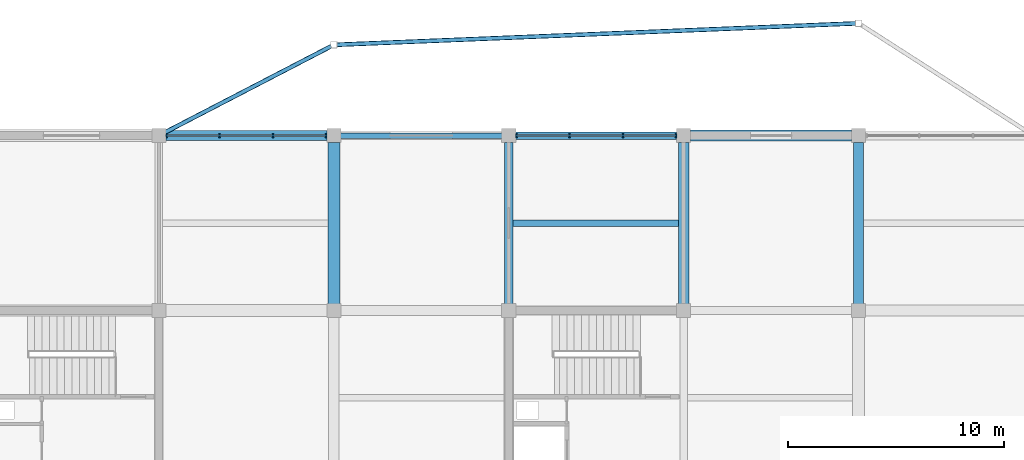
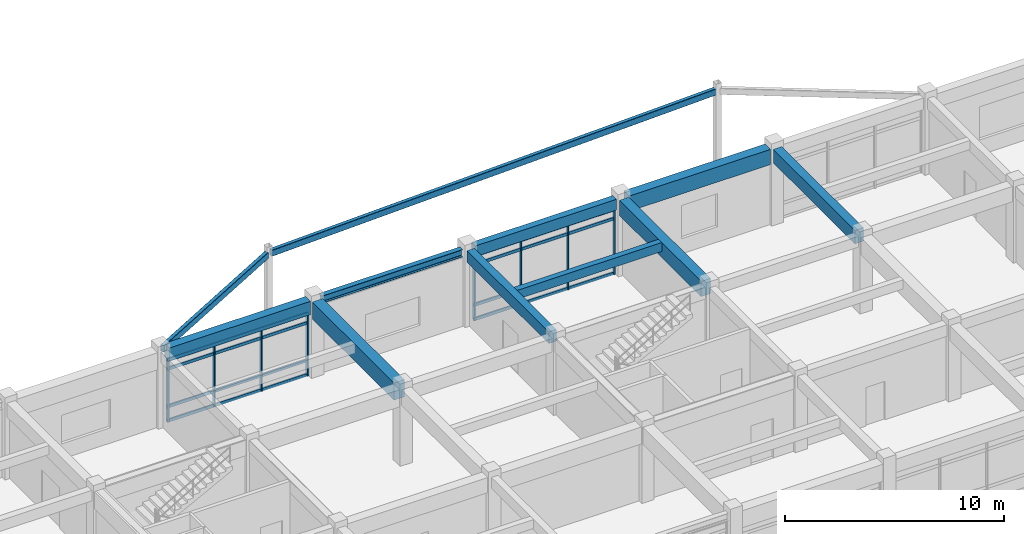
# One storey, part 45 of 93: 16 members, 11 beams, 2 elements without a shape of their own.
"""IFC4 building model written with IfcOpenShell, lengths in metres."""

from ifc_helpers import new_model, si_unit, direction, frame, origin, origin_2d, place, context, subcontext, project, spatial, rectangle, hollow_rectangle, i_section, extrude, material, layer, layer_set, material_profile, profile_set, type_object, element, aggregate, save


model = new_model("IFC4")

# Units and contexts
model_context = context("Model", 3, precision=1e-05, world=origin(), true_north=direction((0.0, 1.0)))
body_context = subcontext(model_context, "Body", "Model", "MODEL_VIEW")
ifc_project = project(units=[si_unit("LENGTHUNIT", "METRE"), si_unit("AREAUNIT", "SQUARE_METRE"), si_unit("VOLUMEUNIT", "CUBIC_METRE"), si_unit("PLANEANGLEUNIT", "RADIAN"), si_unit("MASSUNIT", "GRAM", prefix="KILO")], contexts=[model_context])

# Site, building, storey
site_placement = place(None, origin())
site = spatial("IfcSite", under=ifc_project, at=site_placement, CompositionType="ELEMENT")
building_placement = place(site_placement, origin())
building = spatial("IfcBuilding", under=site, at=building_placement, Name="Vaudrelin Polytechnic", CompositionType="ELEMENT")
storey_placement = place(building_placement, frame((0.0, 0.0, 5.10009765625)))
storey = spatial("IfcBuildingStorey", under=building, at=storey_placement, Name="L01", CompositionType="ELEMENT", Elevation=5.10009765625)

# Beams
ifc_material_1 = material(Name="Concrete 40 MPa", Category="concrete")
ifc_material_profile_1 = material_profile(ifc_material_1, rectangle(XDim=0.35009765625, YDim=0.60009765625, at=origin_2d()), Name="RC350x600")
ifc_profile_set_1 = profile_set([ifc_material_profile_1], Name="Concrete 40 MPa")
beam_type_1 = type_object("IfcBeamType", Name="BM-BM-RC3560", PredefinedType="BEAM", material=ifc_profile_set_1)
beam_1_placement = place(storey_placement, frame((81.321044921875, 121.5, 3.949951171875), z_axis=(1.0, 0.0, 0.0), x_axis=(0.0, 1.0, 0.0)))
element("IfcBeam", 1, at=beam_1_placement, inside=storey, type_object=beam_type_1, Name="L01 X-beam 11-16", PredefinedType="BEAM", context=body_context, shape_type="SweptSolid", body=[
    extrude(rectangle(XDim=0.35009765625, YDim=0.60009765625, at=origin_2d()), origin(), (0.0, 0.0, 1.0), 7.4580078125),
])
ifc_material_profile_2 = material_profile(ifc_material_1, rectangle(XDim=0.39990234375, YDim=0.64990234375, at=origin_2d()), Name="RC400x650")
ifc_profile_set_2 = profile_set([ifc_material_profile_2], Name="Concrete 40 MPa")
beam_type_2 = type_object("IfcBeamType", Name="BM-BM-RC4065", PredefinedType="BEAM", material=ifc_profile_set_2)
beam_2_placement = place(storey_placement, frame((81.0, 113.7099609375, 3.9248046875), z_axis=(0.0, 1.0, 0.0), x_axis=(-1.0, 0.0, 0.0)))
element("IfcBeam", 2, at=beam_2_placement, inside=storey, type_object=beam_type_2, Name="L01 Y-beam 11-15", PredefinedType="BEAM", context=body_context, shape_type="SweptSolid", body=[
    extrude(rectangle(XDim=0.39990234375, YDim=0.64990234375, at=origin_2d()), origin(), (0.0, 0.0, 1.0), 7.47998046875),
])
ifc_material_profile_3 = material_profile(ifc_material_1, rectangle(XDim=0.449951171875, YDim=0.75, at=origin_2d()), Name="RC450x750")
ifc_profile_set_3 = profile_set([ifc_material_profile_3], Name="Concrete 40 MPa")
beam_type_3 = type_object("IfcBeamType", Name="BM-BM-RC4575", PredefinedType="BEAM", material=ifc_profile_set_3)
beam_3_placement = place(storey_placement, frame((97.199951171875, 113.7099609375, 3.875), z_axis=(0.0, 1.0, 0.0), x_axis=(-1.0, 0.0, 0.0)))
element("IfcBeam", 3, at=beam_3_placement, inside=storey, type_object=beam_type_3, Name="L01 Y-beam 13-15", PredefinedType="BEAM", context=body_context, shape_type="SweptSolid", body=[
    extrude(rectangle(XDim=0.449951171875, YDim=0.75, at=origin_2d()), origin(), (0.0, 0.0, 1.0), 7.47998046875),
])
beam_4_placement = place(storey_placement, frame((65.12109375, 121.5, 3.875), z_axis=(1.0, 0.0, 0.0), x_axis=(0.0, 1.0, 0.0)))
element("IfcBeam", 4, at=beam_4_placement, inside=storey, type_object=beam_type_3, Name="L01 X-beam 9-16", PredefinedType="BEAM", context=body_context, shape_type="SweptSolid", body=[
    extrude(rectangle(XDim=0.449951171875, YDim=0.75, at=origin_2d()), origin(), (0.0, 0.0, 1.0), 7.4580078125),
])
ifc_material_profile_4 = material_profile(ifc_material_1, rectangle(XDim=0.5, YDim=0.85009765625, at=origin_2d()), Name="RC500x850")
ifc_profile_set_4 = profile_set([ifc_material_profile_4], Name="Concrete 40 MPa")
beam_type_4 = type_object("IfcBeamType", Name="BM-BM-RC5085", PredefinedType="BEAM", material=ifc_profile_set_4)
beam_5_placement = place(storey_placement, frame((89.10009765625, 113.7099609375, 3.824951171875), z_axis=(0.0, 1.0, 0.0), x_axis=(-1.0, 0.0, 0.0)))
element("IfcBeam", 5, at=beam_5_placement, inside=storey, type_object=beam_type_4, Name="L01 Y-beam 12-15", PredefinedType="BEAM", context=body_context, shape_type="SweptSolid", body=[
    extrude(rectangle(XDim=0.5, YDim=0.85009765625, at=origin_2d()), origin(), (0.0, 0.0, 1.0), 7.47998046875),
])
beam_6_placement = place(storey_placement, frame((89.4208984375, 121.5, 3.824951171875), z_axis=(1.0, 0.0, 0.0), x_axis=(0.0, 1.0, 0.0)))
element("IfcBeam", 6, at=beam_6_placement, inside=storey, type_object=beam_type_4, Name="L01 X-beam 12-16", PredefinedType="BEAM", context=body_context, shape_type="SweptSolid", body=[
    extrude(rectangle(XDim=0.5, YDim=0.85009765625, at=origin_2d()), origin(), (0.0, 0.0, 1.0), 7.4580078125),
])
ifc_material_2 = material(Name="Concrete 50 MPa", Category="concrete")
ifc_material_profile_5 = material_profile(ifc_material_2, rectangle(XDim=0.550048828125, YDim=0.949951171875, at=origin_2d()), Name="RC550x950")
ifc_profile_set_5 = profile_set([ifc_material_profile_5], Name="Concrete 50 MPa")
beam_type_5 = type_object("IfcBeamType", Name="BM-BM-RC5595", PredefinedType="BEAM", material=ifc_profile_set_5)
beam_7_placement = place(storey_placement, frame((72.89990234375, 113.7099609375, 3.77490234375), z_axis=(0.0, 1.0, 0.0), x_axis=(-1.0, 0.0, 0.0)))
element("IfcBeam", 7, at=beam_7_placement, inside=storey, type_object=beam_type_5, Name="L01 Y-beam 10-15", PredefinedType="BEAM", context=body_context, shape_type="SweptSolid", body=[
    extrude(rectangle(XDim=0.550048828125, YDim=0.949951171875, at=origin_2d()), origin(), (0.0, 0.0, 1.0), 7.47998046875),
])
ifc_material_3 = material(Name="Steel CSA G40.21 350WT", Category="steel")
ifc_material_profile_6 = material_profile(ifc_material_3, i_section(OverallWidth=0.260009765625, OverallDepth=0.4150390625, WebThickness=0.010009765625, FlangeThickness=0.016845703125, FilletRadius=0.01611328125, at=origin_2d()), Name="W410x100")
ifc_profile_set_6 = profile_set([ifc_material_profile_6], Name="Steel CSA G40.21 350WT")
beam_type_6 = type_object("IfcBeamType", Name="BM-BM-W410H", PredefinedType="SPANDREL", material=ifc_profile_set_6)
beam_8_placement = place(storey_placement, frame((73.220947265625, 121.5, 4.04248046875), z_axis=(1.0, 0.0, 0.0), x_axis=(0.0, 1.0, 0.0)))
element("IfcBeam", 8, at=beam_8_placement, inside=storey, type_object=beam_type_6, Name="L01 X-beam 10-16", PredefinedType="SPANDREL", context=body_context, shape_type="SweptSolid", body=[
    extrude(i_section(OverallWidth=0.260009765625, OverallDepth=0.4150390625, WebThickness=0.010009765625, FlangeThickness=0.016845703125, FilletRadius=0.01611328125, at=origin_2d()), origin(), (0.0, 0.0, 1.0), 7.4580078125),
])
ifc_material_profile_7 = material_profile(ifc_material_1, rectangle(XDim=0.300048828125, YDim=0.5, at=origin_2d()), Name="RC300x500")
ifc_profile_set_7 = profile_set([ifc_material_profile_7], Name="Concrete 40 MPa")
beam_type_7 = type_object("IfcBeamType", Name="BM-JS-RC3050", PredefinedType="JOIST", material=ifc_profile_set_7)
beam_9_placement = place(storey_placement, frame((81.196044921875, 117.449951171875, 4.0), z_axis=(1.0, 0.0, 0.0), x_axis=(0.0, 1.0, 0.0)))
element("IfcBeam", 9, at=beam_9_placement, inside=storey, type_object=beam_type_7, Name="L01 floor joist 11-15", PredefinedType="JOIST", context=body_context, shape_type="SweptSolid", body=[
    extrude(rectangle(XDim=0.300048828125, YDim=0.5, at=origin_2d()), origin(), (0.0, 0.0, 1.0), 7.657958984375),
])
ifc_material_profile_8 = material_profile(ifc_material_3, hollow_rectangle(XDim=0.202880859375, YDim=0.35595703125, WallThickness=0.0126953125, InnerFilletRadius=0.0126953125, OuterFilletRadius=0.025390625, at=origin_2d()), Name="HSS356x203x12.7")
ifc_profile_set_8 = profile_set([ifc_material_profile_8], Name="Steel CSA G40.21 350WT")
beam_type_8 = type_object("IfcBeamType", Name="BM-SP-HSS35", PredefinedType="SPANDREL", material=ifc_profile_set_8)
beam_10_placement = place(storey_placement, frame((64.92431640625, 121.564453125, 4.1318359375), z_axis=(0.887754949257, 0.460316358682, 0.0), x_axis=(-0.460316358682, 0.887754949257, 0.0)))
element("IfcBeam", 10, at=beam_10_placement, inside=storey, type_object=beam_type_8, Name="Sculptural edge beam L01 N_OR2_B1", PredefinedType="SPANDREL", context=body_context, shape_type="SweptSolid", body=[
    extrude(hollow_rectangle(XDim=0.202880859375, YDim=0.35595703125, WallThickness=0.0126953125, InnerFilletRadius=0.0126953125, OuterFilletRadius=0.025390625, at=origin_2d()), origin(), (0.0, 0.0, 1.0), 8.843994140625),
])
beam_11_placement = place(storey_placement, frame((73.039794921875, 125.705810546875, 4.1318359375), z_axis=(0.99915467323, 0.0411088672, 0.0), x_axis=(-0.0411088672, 0.99915467323, 0.0)))
element("IfcBeam", 11, at=beam_11_placement, inside=storey, type_object=beam_type_8, Name="Sculptural edge beam L01 N_OR2_B2", PredefinedType="SPANDREL", context=body_context, shape_type="SweptSolid", body=[
    extrude(hollow_rectangle(XDim=0.202880859375, YDim=0.35595703125, WallThickness=0.0126953125, InnerFilletRadius=0.0126953125, OuterFilletRadius=0.025390625, at=origin_2d()), origin(), (0.0, 0.0, 1.0), 24.04052734375),
])

# Curtain wall, members
ifc_material_4 = material(Name="Thermally broken anodised aluminium AA 6063-T6 and low-e triple glazing", Category="aluminium")
ifc_layer = layer(ifc_material_4, 0.199951171875)
ifc_layer_set = layer_set([ifc_layer], Name="Thermally broken anodised aluminium AA 6063-T6 and low-e triple glazing")
curtain_wall_type = type_object("IfcCurtainWallType", Name="CW-CW-STU", PredefinedType="USERDEFINED", material=ifc_layer_set)
curtain_wall_1_placement = place(storey_placement, origin())
curtain_wall_1 = element("IfcCurtainWall", 12, at=curtain_wall_1_placement, inside=storey, type_object=curtain_wall_type, Name="Curtain wall L01 N_V5_08", ObjectType="CURTAIN WALL", PredefinedType="USERDEFINED")
ifc_material_5 = material(Name="Anodised aluminium AA 6063-T6", Category="aluminium")
ifc_material_profile_9 = material_profile(ifc_material_5, rectangle(XDim=0.06494140625, YDim=0.179931640625, at=origin_2d()), Name="CWM-65x180")
ifc_profile_set_9 = profile_set([ifc_material_profile_9], Name="Anodised aluminium AA 6063-T6")
member_type_1 = type_object("IfcMemberType", Name="MEM-CWM-180", PredefinedType="MULLION", material=ifc_profile_set_9)
member_1_placement = place(storey_placement, frame((65.1630859375, 121.5, 0.0), z_axis=(0.0, 0.0, 1.0), x_axis=(1.0, 0.0, 0.0)))
member_1 = element("IfcMember", 13, at=member_1_placement, type_object=member_type_1, Name="N_V5_08 mullion 1", PredefinedType="MULLION", context=body_context, shape_type="SweptSolid", body=[
    extrude(rectangle(XDim=0.06494140625, YDim=0.179931640625, at=origin_2d()), origin(), (0.0, 0.0, 1.0), 3.501953125),
])
member_2_placement = place(storey_placement, frame((67.607666015625, 121.5, 0.0), z_axis=(0.0, 0.0, 1.0), x_axis=(1.0, 0.0, 0.0)))
member_2 = element("IfcMember", 14, at=member_2_placement, type_object=member_type_1, Name="N_V5_08 mullion 2", PredefinedType="MULLION", context=body_context, shape_type="SweptSolid", body=[
    extrude(rectangle(XDim=0.06494140625, YDim=0.179931640625, at=origin_2d()), origin(), (0.0, 0.0, 1.0), 3.501953125),
])
member_3_placement = place(storey_placement, frame((70.09228515625, 121.5, 0.0), z_axis=(0.0, 0.0, 1.0), x_axis=(1.0, 0.0, 0.0)))
member_3 = element("IfcMember", 15, at=member_3_placement, type_object=member_type_1, Name="N_V5_08 mullion 3", PredefinedType="MULLION", context=body_context, shape_type="SweptSolid", body=[
    extrude(rectangle(XDim=0.06494140625, YDim=0.179931640625, at=origin_2d()), origin(), (0.0, 0.0, 1.0), 3.501953125),
])
member_4_placement = place(storey_placement, frame((72.537109375, 121.5, 0.0), z_axis=(0.0, 0.0, 1.0), x_axis=(1.0, 0.0, 0.0)))
member_4 = element("IfcMember", 16, at=member_4_placement, type_object=member_type_1, Name="N_V5_08 mullion 4", PredefinedType="MULLION", context=body_context, shape_type="SweptSolid", body=[
    extrude(rectangle(XDim=0.06494140625, YDim=0.179931640625, at=origin_2d()), origin(), (0.0, 0.0, 1.0), 3.501953125),
])

curtain_wall_2_placement = place(storey_placement, origin())
curtain_wall_2 = element("IfcCurtainWall", 17, at=curtain_wall_2_placement, inside=storey, type_object=curtain_wall_type, Name="Curtain wall L01 N_V5_10", ObjectType="CURTAIN WALL", PredefinedType="USERDEFINED")
member_5_placement = place(storey_placement, frame((81.363037109375, 121.5, 0.0), z_axis=(0.0, 0.0, 1.0), x_axis=(1.0, 0.0, 0.0)))
member_5 = element("IfcMember", 18, at=member_5_placement, type_object=member_type_1, Name="N_V5_10 mullion 1", PredefinedType="MULLION", context=body_context, shape_type="SweptSolid", body=[
    extrude(rectangle(XDim=0.06494140625, YDim=0.179931640625, at=origin_2d()), origin(), (0.0, 0.0, 1.0), 3.65185546875),
])
member_6_placement = place(storey_placement, frame((83.8076171875, 121.5, 0.0), z_axis=(0.0, 0.0, 1.0), x_axis=(1.0, 0.0, 0.0)))
member_6 = element("IfcMember", 19, at=member_6_placement, type_object=member_type_1, Name="N_V5_10 mullion 2", PredefinedType="MULLION", context=body_context, shape_type="SweptSolid", body=[
    extrude(rectangle(XDim=0.06494140625, YDim=0.179931640625, at=origin_2d()), origin(), (0.0, 0.0, 1.0), 3.65185546875),
])
member_7_placement = place(storey_placement, frame((86.292236328125, 121.5, 0.0), z_axis=(0.0, 0.0, 1.0), x_axis=(1.0, 0.0, 0.0)))
member_7 = element("IfcMember", 20, at=member_7_placement, type_object=member_type_1, Name="N_V5_10 mullion 3", PredefinedType="MULLION", context=body_context, shape_type="SweptSolid", body=[
    extrude(rectangle(XDim=0.06494140625, YDim=0.179931640625, at=origin_2d()), origin(), (0.0, 0.0, 1.0), 3.65185546875),
])
member_8_placement = place(storey_placement, frame((88.737060546875, 121.5, 0.0), z_axis=(0.0, 0.0, 1.0), x_axis=(1.0, 0.0, 0.0)))
member_8 = element("IfcMember", 21, at=member_8_placement, type_object=member_type_1, Name="N_V5_10 mullion 4", PredefinedType="MULLION", context=body_context, shape_type="SweptSolid", body=[
    extrude(rectangle(XDim=0.06494140625, YDim=0.179931640625, at=origin_2d()), origin(), (0.0, 0.0, 1.0), 3.65185546875),
])

# Member
ifc_material_profile_10 = material_profile(ifc_material_5, rectangle(XDim=0.074951171875, YDim=0.1650390625, at=origin_2d()), Name="CWT-75x165")
ifc_profile_set_10 = profile_set([ifc_material_profile_10], Name="Anodised aluminium AA 6063-T6")
member_type_2 = type_object("IfcMemberType", Name="MEM-CWT-165", PredefinedType="USERDEFINED", material=ifc_profile_set_10)
member_9_placement = place(storey_placement, frame((65.123046875, 121.5, 0.0498046875), z_axis=(1.0, 0.0, 0.0), x_axis=(0.0, 1.0, 0.0)))
member_9 = element("IfcMember", 22, at=member_9_placement, type_object=member_type_2, Name="N_V5_08 transom 1", ObjectType="TRANSOM", PredefinedType="USERDEFINED", context=body_context, shape_type="SweptSolid", body=[
    extrude(rectangle(XDim=0.074951171875, YDim=0.1650390625, at=origin_2d()), origin(), (0.0, 0.0, 1.0), 7.453857421875),
])

member_10_placement = place(storey_placement, frame((65.123046875, 121.5, 0.849853515625), z_axis=(1.0, 0.0, 0.0), x_axis=(0.0, 1.0, 0.0)))
member_10 = element("IfcMember", 23, at=member_10_placement, type_object=member_type_2, Name="N_V5_08 transom 2", ObjectType="TRANSOM", PredefinedType="USERDEFINED", context=body_context, shape_type="SweptSolid", body=[
    extrude(rectangle(XDim=0.074951171875, YDim=0.1650390625, at=origin_2d()), origin(), (0.0, 0.0, 1.0), 7.453857421875),
])

member_11_placement = place(storey_placement, frame((65.123046875, 121.5, 2.951904296875), z_axis=(1.0, 0.0, 0.0), x_axis=(0.0, 1.0, 0.0)))
member_11 = element("IfcMember", 24, at=member_11_placement, type_object=member_type_2, Name="N_V5_08 transom 3", ObjectType="TRANSOM", PredefinedType="USERDEFINED", context=body_context, shape_type="SweptSolid", body=[
    extrude(rectangle(XDim=0.074951171875, YDim=0.1650390625, at=origin_2d()), origin(), (0.0, 0.0, 1.0), 7.453857421875),
])

member_12_placement = place(storey_placement, frame((65.123046875, 121.5, 3.451904296875), z_axis=(1.0, 0.0, 0.0), x_axis=(0.0, 1.0, 0.0)))
member_12 = element("IfcMember", 25, at=member_12_placement, type_object=member_type_2, Name="N_V5_08 transom 4", ObjectType="TRANSOM", PredefinedType="USERDEFINED", context=body_context, shape_type="SweptSolid", body=[
    extrude(rectangle(XDim=0.074951171875, YDim=0.1650390625, at=origin_2d()), origin(), (0.0, 0.0, 1.0), 7.453857421875),
])

aggregate(curtain_wall_1, [member_1, member_2, member_3, member_4, member_9, member_10, member_11, member_12])

member_13_placement = place(storey_placement, frame((81.322998046875, 121.5, 0.0498046875), z_axis=(1.0, 0.0, 0.0), x_axis=(0.0, 1.0, 0.0)))
member_13 = element("IfcMember", 26, at=member_13_placement, type_object=member_type_2, Name="N_V5_10 transom 1", ObjectType="TRANSOM", PredefinedType="USERDEFINED", context=body_context, shape_type="SweptSolid", body=[
    extrude(rectangle(XDim=0.074951171875, YDim=0.1650390625, at=origin_2d()), origin(), (0.0, 0.0, 1.0), 7.4541015625),
])

member_14_placement = place(storey_placement, frame((81.322998046875, 121.5, 0.849853515625), z_axis=(1.0, 0.0, 0.0), x_axis=(0.0, 1.0, 0.0)))
member_14 = element("IfcMember", 27, at=member_14_placement, type_object=member_type_2, Name="N_V5_10 transom 2", ObjectType="TRANSOM", PredefinedType="USERDEFINED", context=body_context, shape_type="SweptSolid", body=[
    extrude(rectangle(XDim=0.074951171875, YDim=0.1650390625, at=origin_2d()), origin(), (0.0, 0.0, 1.0), 7.4541015625),
])

member_15_placement = place(storey_placement, frame((81.322998046875, 121.5, 3.101806640625), z_axis=(1.0, 0.0, 0.0), x_axis=(0.0, 1.0, 0.0)))
member_15 = element("IfcMember", 28, at=member_15_placement, type_object=member_type_2, Name="N_V5_10 transom 3", ObjectType="TRANSOM", PredefinedType="USERDEFINED", context=body_context, shape_type="SweptSolid", body=[
    extrude(rectangle(XDim=0.074951171875, YDim=0.1650390625, at=origin_2d()), origin(), (0.0, 0.0, 1.0), 7.4541015625),
])

member_16_placement = place(storey_placement, frame((81.322998046875, 121.5, 3.601806640625), z_axis=(1.0, 0.0, 0.0), x_axis=(0.0, 1.0, 0.0)))
member_16 = element("IfcMember", 29, at=member_16_placement, type_object=member_type_2, Name="N_V5_10 transom 4", ObjectType="TRANSOM", PredefinedType="USERDEFINED", context=body_context, shape_type="SweptSolid", body=[
    extrude(rectangle(XDim=0.074951171875, YDim=0.1650390625, at=origin_2d()), origin(), (0.0, 0.0, 1.0), 7.4541015625),
])

aggregate(curtain_wall_2, [member_5, member_6, member_7, member_8, member_13, member_14, member_15, member_16])

save(model, "model.ifc")
